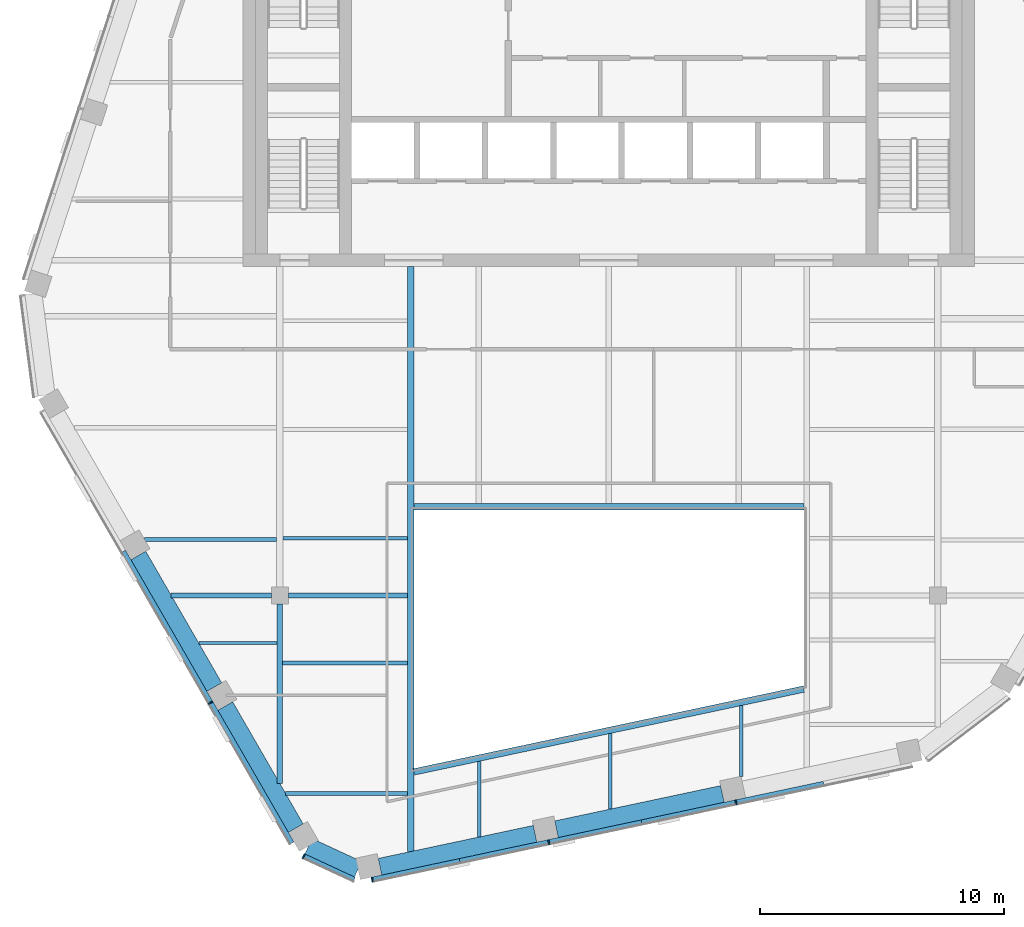
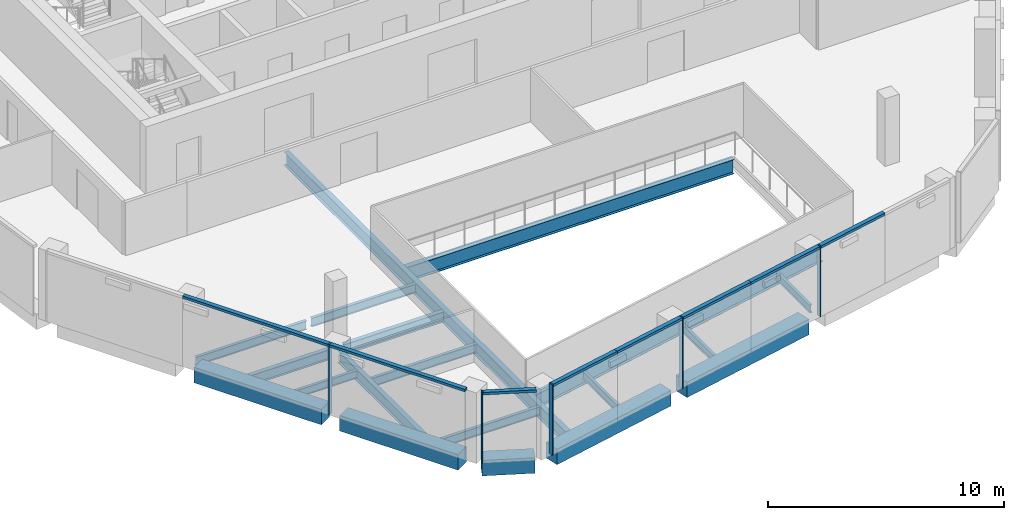
# One storey, part 2 of 15: 19 beams, 13 members, 3 elements without a shape of their own.
"""IFC4 building model written with IfcOpenShell, lengths in metres."""

import ifcopenshell
import ifcopenshell.guid

model = None  # the IFC model being written
_history = None  # IfcOwnerHistory: only IFC2X3 demands one
_inside = {}  # id of a spatial element -> (the spatial element, [elements in it])
_under = {}  # id of a project, library or spatial element -> (it, [spatial elements below it])
_declared = {}  # id of a project -> (the project, [libraries it declares])
_typed = {}  # id of a type object -> (the type object, [elements of that type])
_made_of = {}  # id of a material, layer set ... -> (it, [elements and type objects made of it])


def new_model(schema):
    """Start an empty IFC model of exactly this schema.

    Asked for "IFC4X3", IfcOpenShell would pick the latest addendum, in which some entities
    have other attributes; the version numbers below select the first issue.
    IFC2X3 requires an IfcOwnerHistory on every rooted entity: one is made here for all.
    """
    global model, _history
    if schema == "IFC4X3":
        model = ifcopenshell.file(schema_version=(4, 3, 0, 0))
    else:
        model = ifcopenshell.file(schema=schema)
    _inside.clear()
    _under.clear()
    _declared.clear()
    _typed.clear()
    _made_of.clear()
    _history = None
    if model.schema == "IFC2X3":
        org = make("IfcOrganization", Name="unknown")
        user = make(
            "IfcPersonAndOrganization",
            ThePerson=make("IfcPerson", FamilyName="unknown"),
            TheOrganization=org,
        )
        app = make(
            "IfcApplication",
            ApplicationDeveloper=org,
            Version="unknown",
            ApplicationFullName="unknown",
            ApplicationIdentifier="unknown",
        )
        _history = make(
            "IfcOwnerHistory",
            OwningUser=user,
            OwningApplication=app,
            ChangeAction="ADDED",
            CreationDate=0,
        )
    return model


def make(cls, **values):
    """One entity of the class cls with the attributes given. An attribute that is None is left unset."""
    return model.create_entity(
        cls, **{name: value for name, value in values.items() if value is not None}
    )


def rooted(cls, **values):
    """An entity with a GlobalId (a new one), such as an element, a storey or a relation."""
    return make(cls, GlobalId=ifcopenshell.guid.new(), OwnerHistory=_history, **values)


def si_unit(unit_type, name, prefix=None):
    """IfcSIUnit, for example si_unit("LENGTHUNIT", "METRE", prefix="MILLI")."""
    return make("IfcSIUnit", UnitType=unit_type, Prefix=prefix, Name=name)


def assignment(units):
    """IfcUnitAssignment: the units of a project."""
    return None if units is None else make("IfcUnitAssignment", Units=units)


def point(xyz):
    """IfcCartesianPoint."""
    return None if xyz is None else make("IfcCartesianPoint", Coordinates=xyz)


def direction(xyz):
    """IfcDirection."""
    return None if xyz is None else make("IfcDirection", DirectionRatios=xyz)


def frame(location, z_axis=None, x_axis=None):
    """IfcAxis2Placement3D, a coordinate frame: its origin and axes. An axis left out is left unset."""
    return make(
        "IfcAxis2Placement3D",
        Location=point(location),
        Axis=direction(z_axis),
        RefDirection=direction(x_axis),
    )


def frame_2d(location, x_axis=None):
    """IfcAxis2Placement2D, a coordinate frame in the plane: its origin and x axis."""
    return make(
        "IfcAxis2Placement2D", Location=point(location), RefDirection=direction(x_axis)
    )


def origin():
    """The frame at (0, 0, 0) with its axes left unset."""
    return frame((0.0, 0.0, 0.0))


def origin_2d():
    """The frame at (0, 0) in the plane with its x axis left unset."""
    return frame_2d((0.0, 0.0))


def place(relative_to, where):
    """IfcLocalPlacement: puts the frame where relative to a parent placement (None: the world)."""
    return make(
        "IfcLocalPlacement", PlacementRelTo=relative_to, RelativePlacement=where
    )


def context(
    kind, dimensions, precision=None, world=None, true_north=None, identifier=None
):
    """IfcGeometricRepresentationContext, for example the 3D "Model" context."""
    return make(
        "IfcGeometricRepresentationContext",
        ContextIdentifier=identifier,
        ContextType=kind,
        CoordinateSpaceDimension=dimensions,
        Precision=precision,
        WorldCoordinateSystem=world,
        TrueNorth=true_north,
    )


def subcontext(parent, identifier, kind, view, scale=None):
    """IfcGeometricRepresentationSubContext, for example "Body" below "Model"."""
    return make(
        "IfcGeometricRepresentationSubContext",
        ContextIdentifier=identifier,
        ContextType=kind,
        ParentContext=parent,
        TargetScale=scale,
        TargetView=view,
    )


def project(units=None, contexts=None):
    """IfcProject with its units and contexts."""
    return rooted(
        "IfcProject",
        Name="project",
        RepresentationContexts=contexts,
        UnitsInContext=assignment(units),
    )


def spatial(cls, under=None, at=None, **own):
    """A site, building, storey or space (cls), placed at a placement, below another one or the project."""
    s = rooted(cls, ObjectPlacement=at, **own)
    if under is not None:
        _under.setdefault(under.id(), (under, []))[1].append(s)
    return s


def profile(cls, at=None, kind="AREA", **sizes):
    """A parametric profile (cls). Its sizes go by their IFC names, for example OverallWidth=200.0."""
    return make(cls, ProfileType=kind, Position=at, **sizes)


def rectangle(**sizes):
    """IfcRectangleProfileDef."""
    return profile("IfcRectangleProfileDef", **sizes)


def i_section(**sizes):
    """IfcIShapeProfileDef."""
    return profile("IfcIShapeProfileDef", **sizes)


def extrude(swept, where, along, depth):
    """IfcExtrudedAreaSolid: the profile swept, set in the frame where, extruded along a direction by depth."""
    return make(
        "IfcExtrudedAreaSolid",
        SweptArea=swept,
        Position=where,
        ExtrudedDirection=direction(along),
        Depth=depth,
    )


def shape(context_of_items, identifier, shape_type, items):
    """IfcShapeRepresentation: the items that make up one representation, for example the "Body"."""
    return make(
        "IfcShapeRepresentation",
        ContextOfItems=context_of_items,
        RepresentationIdentifier=identifier,
        RepresentationType=shape_type,
        Items=items,
    )


def material(Name=None, Category=None):
    """IfcMaterial."""
    return make("IfcMaterial", Name=Name, Category=Category)


def layer(
    of_material, thickness, ventilated=None, Name=None, Category=None, Priority=None
):
    """IfcMaterialLayer: one layer of a wall or slab, of a material (None: an air gap)."""
    return make(
        "IfcMaterialLayer",
        Material=of_material,
        LayerThickness=thickness,
        IsVentilated=ventilated,
        Name=Name,
        Category=Category,
        Priority=Priority,
    )


def layer_set(layers, Name=None):
    """IfcMaterialLayerSet."""
    return make("IfcMaterialLayerSet", MaterialLayers=layers, LayerSetName=Name)


def material_profile(
    of_material, cross_section, Name=None, Category=None, Priority=None
):
    """IfcMaterialProfile: a cross section and its material."""
    return make(
        "IfcMaterialProfile",
        Name=Name,
        Material=of_material,
        Profile=cross_section,
        Priority=Priority,
        Category=Category,
    )


def profile_set(profiles, Name=None, composite=None):
    """IfcMaterialProfileSet."""
    return make(
        "IfcMaterialProfileSet",
        Name=Name,
        MaterialProfiles=profiles,
        CompositeProfile=composite,
    )


def made_of(thing, what):
    """Note that an element or type object is made of a material, layer set ...; save() writes the relation."""
    if what is not None:
        _made_of.setdefault(what.id(), (what, []))[1].append(thing)
    return thing


def type_object(cls, material=None, **own):
    """A type object (cls), such as IfcWallType, which elements share."""
    return made_of(rooted(cls, **own), material)


def element(
    cls,
    number,
    at=None,
    inside=None,
    cuts=None,
    type_object=None,
    material=None,
    context=None,
    identifier="Body",
    shape_type=None,
    held_by="IfcProductDefinitionShape",
    body=None,
    shapes=None,
    **own,
):
    """One element of the class cls, such as IfcWall. Its Tag is "e" and its number.

    at: its placement. inside: the storey or other place that contains it. cuts: it is an
    opening in that element (IfcRelVoidsElement). A single representation is given by context,
    identifier, shape_type and body (its items); several are given by shapes. held_by: the class
    of the entity that holds the representations. save() writes the other relations.
    """
    e = rooted(cls, Tag="e%d" % number, ObjectPlacement=at, **own)
    if body is not None:
        shapes = [shape(context, identifier, shape_type, body)]
    if shapes is not None:
        e.Representation = make(held_by, Representations=shapes)
    if inside is not None:
        _inside.setdefault(inside.id(), (inside, []))[1].append(e)
    if cuts is not None:
        rooted(
            "IfcRelVoidsElement", RelatingBuildingElement=cuts, RelatedOpeningElement=e
        )
    if type_object is not None:
        _typed.setdefault(type_object.id(), (type_object, []))[1].append(e)
    return made_of(e, material)


def aggregate(whole, parts):
    """IfcRelAggregates: a whole, such as a stair, and the parts it consists of."""
    return rooted("IfcRelAggregates", RelatingObject=whole, RelatedObjects=parts)


def save(model, path):
    """Write the relations noted so far, then the file.

    IfcRelAggregates (storeys below a building ...), IfcRelContainedInSpatialStructure (elements
    in a storey), IfcRelDefinesByType, IfcRelAssociatesMaterial and IfcRelDeclares: one each for
    every whole, place, type object, material and project.
    """
    for whole, parts in _under.values():
        aggregate(whole, parts)
    for where, things in _inside.values():
        rooted(
            "IfcRelContainedInSpatialStructure",
            RelatedElements=things,
            RelatingStructure=where,
        )
    for kind, things in _typed.values():
        rooted("IfcRelDefinesByType", RelatedObjects=things, RelatingType=kind)
    for what, things in _made_of.values():
        rooted("IfcRelAssociatesMaterial", RelatedObjects=things, RelatingMaterial=what)
    for by, libraries in _declared.values():
        rooted("IfcRelDeclares", RelatingContext=by, RelatedDefinitions=libraries)
    model.write(path)


model = new_model("IFC4")

# Units and contexts
model_context = context("Model", 3, precision=1e-05, world=origin(), true_north=direction((0.0, 1.0)))
body_context = subcontext(model_context, "Body", "Model", "MODEL_VIEW")
ifc_project = project(units=[si_unit("LENGTHUNIT", "METRE"), si_unit("AREAUNIT", "SQUARE_METRE"), si_unit("VOLUMEUNIT", "CUBIC_METRE"), si_unit("PLANEANGLEUNIT", "RADIAN"), si_unit("MASSUNIT", "GRAM", prefix="KILO")], contexts=[model_context])

# Site, building, storey
site_placement = place(None, origin())
site = spatial("IfcSite", under=ifc_project, at=site_placement, CompositionType="ELEMENT")
building_placement = place(site_placement, origin())
building = spatial("IfcBuilding", under=site, at=building_placement, Name="Isthmus Gate Tower", CompositionType="ELEMENT")
storey_placement = place(building_placement, frame((0.0, 0.0, 290.14990234375)))
storey = spatial("IfcBuildingStorey", under=building, at=storey_placement, Name="L74", CompositionType="ELEMENT", Elevation=290.14990234375)

# Curtain wall, member
ifc_material_1 = material(Name="Aluminium, pale champagne anodised", Category="aluminium")
ifc_layer = layer(ifc_material_1, 0.199951171875)
ifc_layer_set = layer_set([ifc_layer], Name="CW-1 UNITISED CURTAIN WALL 200 DEEP")
curtain_wall_type = type_object("IfcCurtainWallType", Name="CW-1 UNITISED CURTAIN WALL 200 DEEP", PredefinedType="NOTDEFINED", material=ifc_layer_set)
curtain_wall_1_placement = place(storey_placement, origin())
curtain_wall_1 = element("IfcCurtainWall", 1, at=curtain_wall_1_placement, inside=storey, type_object=curtain_wall_type, Name="CW-1 SW L74", PredefinedType="NOTDEFINED")
ifc_material_2 = material(Name="Aluminium, pale champagne anodised", Category="aluminium")
ifc_material_profile_1 = material_profile(ifc_material_2, rectangle(XDim=0.06005859375, YDim=0.199951171875, at=origin_2d()), Name="60x200")
ifc_profile_set_1 = profile_set([ifc_material_profile_1], Name="Aluminium, pale champagne anodised")
member_type_1 = type_object("IfcMemberType", Name="CW-1 MULLION 60 X 200", PredefinedType="MULLION", material=ifc_profile_set_1)
member_1_placement = place(storey_placement, frame((-16.33544921875, -17.90625, 0.0), z_axis=(0.0, 0.0, 1.0), x_axis=(0.5, -0.866025403784, 0.0)))
member_1 = element("IfcMember", 2, at=member_1_placement, type_object=member_type_1, Name="CW-1 mullion", PredefinedType="MULLION", context=body_context, shape_type="SweptSolid", body=[
    extrude(rectangle(XDim=0.06005859375, YDim=0.199951171875, at=origin_2d()), origin(), (0.0, 0.0, 1.0), 3.650146484375),
])

curtain_wall_2_placement = place(storey_placement, origin())
curtain_wall_2 = element("IfcCurtainWall", 3, at=curtain_wall_2_placement, inside=storey, type_object=curtain_wall_type, Name="CW-1 SW-S L74", PredefinedType="NOTDEFINED")
member_2_placement = place(storey_placement, frame((-12.519775390625, -24.201171875, 0.0), z_axis=(0.0, 0.0, 1.0), x_axis=(0.907256261367, -0.420578264073, 0.0)))
member_2 = element("IfcMember", 4, at=member_2_placement, type_object=member_type_1, Name="CW-1 mullion", PredefinedType="MULLION", context=body_context, shape_type="SweptSolid", body=[
    extrude(rectangle(XDim=0.06005859375, YDim=0.199951171875, at=origin_2d()), origin(), (0.0, 0.0, 1.0), 3.650146484375),
])

# Curtain wall, members
curtain_wall_3_placement = place(storey_placement, origin())
curtain_wall_3 = element("IfcCurtainWall", 5, at=curtain_wall_3_placement, inside=storey, type_object=curtain_wall_type, Name="CW-1 S L74", PredefinedType="NOTDEFINED")
member_3_placement = place(storey_placement, frame((-9.70703125, -25.16552734375, 0.0), z_axis=(0.0, 0.0, 1.0), x_axis=(0.978147600734, 0.207911690818, 0.0)))
member_3 = element("IfcMember", 6, at=member_3_placement, type_object=member_type_1, Name="CW-1 mullion", PredefinedType="MULLION", context=body_context, shape_type="SweptSolid", body=[
    extrude(rectangle(XDim=0.06005859375, YDim=0.199951171875, at=origin_2d()), origin(), (0.0, 0.0, 1.0), 3.650146484375),
])
member_4_placement = place(storey_placement, frame((-2.462158203125, -23.62548828125, 0.0), z_axis=(0.0, 0.0, 1.0), x_axis=(0.978147600734, 0.207911690818, 0.0)))
member_4 = element("IfcMember", 7, at=member_4_placement, type_object=member_type_1, Name="CW-1 mullion", PredefinedType="MULLION", context=body_context, shape_type="SweptSolid", body=[
    extrude(rectangle(XDim=0.06005859375, YDim=0.199951171875, at=origin_2d()), origin(), (0.0, 0.0, 1.0), 3.650146484375),
])
member_5_placement = place(storey_placement, frame((5.222900390625, -21.991943359375, 0.0), z_axis=(0.0, 0.0, 1.0), x_axis=(0.978147600734, 0.207911690818, 0.0)))
member_5 = element("IfcMember", 8, at=member_5_placement, type_object=member_type_1, Name="CW-1 mullion", PredefinedType="MULLION", context=body_context, shape_type="SweptSolid", body=[
    extrude(rectangle(XDim=0.06005859375, YDim=0.199951171875, at=origin_2d()), origin(), (0.0, 0.0, 1.0), 3.650146484375),
])

# Member
ifc_material_3 = material(Name="Aluminium, pale champagne anodised", Category="aluminium")
ifc_material_profile_2 = material_profile(ifc_material_3, rectangle(XDim=0.199951171875, YDim=0.1298828125, at=origin_2d()), Name="200x130")
ifc_profile_set_2 = profile_set([ifc_material_profile_2], Name="Aluminium, pale champagne anodised")
member_type_2 = type_object("IfcMemberType", Name="CW-1 TRANSOM 200 X 130", PredefinedType="USERDEFINED", material=ifc_profile_set_2)
member_6_placement = place(storey_placement, frame((-19.917724609375, -11.70166015625, 3.585205078125), z_axis=(0.500010763282, -0.866019189511, 0.0), x_axis=(0.866019189511, 0.500010763282, 0.0)))
member_6 = element("IfcMember", 9, at=member_6_placement, type_object=member_type_2, Name="CW-1 transom", ObjectType="TRANSOM", PredefinedType="USERDEFINED", context=body_context, shape_type="SweptSolid", body=[
    extrude(rectangle(XDim=0.199951171875, YDim=0.1298828125, at=origin_2d()), origin(), (0.0, 0.0, 1.0), 7.134521484375),
])

member_7_placement = place(storey_placement, frame((-16.3203125, -17.932373046875, 3.585205078125), z_axis=(0.500011702555, -0.866018647206, 0.0), x_axis=(0.866018647206, 0.500011702555, 0.0)))
member_7 = element("IfcMember", 10, at=member_7_placement, type_object=member_type_2, Name="CW-1 transom", ObjectType="TRANSOM", PredefinedType="USERDEFINED", context=body_context, shape_type="SweptSolid", body=[
    extrude(rectangle(XDim=0.199951171875, YDim=0.1298828125, at=origin_2d()), origin(), (0.0, 0.0, 1.0), 6.624267578125),
])

aggregate(curtain_wall_1, [member_6, member_1, member_7])

member_8_placement = place(storey_placement, frame((-12.49267578125, -24.213623046875, 3.585205078125), z_axis=(0.907246225564, -0.420599912268, 0.0), x_axis=(0.420599912268, 0.907246225564, 0.0)))
member_8 = element("IfcMember", 11, at=member_8_placement, type_object=member_type_2, Name="CW-1 transom", ObjectType="TRANSOM", PredefinedType="USERDEFINED", context=body_context, shape_type="SweptSolid", body=[
    extrude(rectangle(XDim=0.199951171875, YDim=0.1298828125, at=origin_2d()), origin(), (0.0, 0.0, 1.0), 2.258544921875),
])

aggregate(curtain_wall_2, [member_2, member_8])

member_9_placement = place(storey_placement, frame((-9.677734375, -25.1591796875, 3.585205078125), z_axis=(0.9781569775, 0.207867571707, 0.0), x_axis=(-0.207867571707, 0.9781569775, 0.0)))
member_9 = element("IfcMember", 12, at=member_9_placement, type_object=member_type_2, Name="CW-1 transom", ObjectType="TRANSOM", PredefinedType="USERDEFINED", context=body_context, shape_type="SweptSolid", body=[
    extrude(rectangle(XDim=0.199951171875, YDim=0.1298828125, at=origin_2d()), origin(), (0.0, 0.0, 1.0), 3.643310546875),
])

member_10_placement = place(storey_placement, frame((-6.114013671875, -24.40185546875, 3.585205078125), z_axis=(0.978146451283, 0.207917098487, 0.0), x_axis=(-0.207917098487, 0.978146451283, 0.0)))
member_10 = element("IfcMember", 13, at=member_10_placement, type_object=member_type_2, Name="CW-1 transom", ObjectType="TRANSOM", PredefinedType="USERDEFINED", context=body_context, shape_type="SweptSolid", body=[
    extrude(rectangle(XDim=0.199951171875, YDim=0.1298828125, at=origin_2d()), origin(), (0.0, 0.0, 1.0), 3.70361328125),
])

member_11_placement = place(storey_placement, frame((-2.432861328125, -23.619384765625, 3.585205078125), z_axis=(0.978140080964, 0.207947065409, 0.0), x_axis=(-0.207947065409, 0.978140080964, 0.0)))
member_11 = element("IfcMember", 14, at=member_11_placement, type_object=member_type_2, Name="CW-1 transom", ObjectType="TRANSOM", PredefinedType="USERDEFINED", context=body_context, shape_type="SweptSolid", body=[
    extrude(rectangle(XDim=0.199951171875, YDim=0.1298828125, at=origin_2d()), origin(), (0.0, 0.0, 1.0), 3.868408203125),
])

member_12_placement = place(storey_placement, frame((1.35107421875, -22.81494140625, 3.585205078125), z_axis=(0.978153006411, 0.207886257478, 0.0), x_axis=(-0.207886257478, 0.978153006411, 0.0)))
member_12 = element("IfcMember", 15, at=member_12_placement, type_object=member_type_2, Name="CW-1 transom", ObjectType="TRANSOM", PredefinedType="USERDEFINED", context=body_context, shape_type="SweptSolid", body=[
    extrude(rectangle(XDim=0.199951171875, YDim=0.1298828125, at=origin_2d()), origin(), (0.0, 0.0, 1.0), 3.928466796875),
])

member_13_placement = place(storey_placement, frame((5.25244140625, -21.98583984375, 3.585205078125), z_axis=(0.978143350472, 0.207931685724, 0.0), x_axis=(-0.207931685724, 0.978143350472, 0.0)))
member_13 = element("IfcMember", 16, at=member_13_placement, type_object=member_type_2, Name="CW-1 transom", ObjectType="TRANSOM", PredefinedType="USERDEFINED", context=body_context, shape_type="SweptSolid", body=[
    extrude(rectangle(XDim=0.199951171875, YDim=0.1298828125, at=origin_2d()), origin(), (0.0, 0.0, 1.0), 3.643310546875),
])

aggregate(curtain_wall_3, [member_3, member_9, member_10, member_4, member_11, member_12, member_5, member_13])

# Beams
ifc_material_4 = material(Name="Concrete f'c 50 MPa", Category="concrete")
ifc_material_profile_3 = material_profile(ifc_material_4, rectangle(XDim=0.699951171875, YDim=0.800048828125, at=origin_2d()), Name="RC 700X800")
ifc_profile_set_3 = profile_set([ifc_material_profile_3], Name="Concrete f'c 50 MPa")
beam_type_1 = type_object("IfcBeamType", Name="RC SPANDREL 700 X 800", PredefinedType="SPANDREL", material=ifc_profile_set_3)
beam_1_placement = place(storey_placement, frame((4.659912109375, -21.651611328125, -0.39990234375), z_axis=(-0.978143150477, -0.207932626528, 0.0), x_axis=(0.207932626528, -0.978143150477, 0.0)))
element("IfcBeam", 17, at=beam_1_placement, inside=storey, type_object=beam_type_1, Name="str-spandrel-L74-10", PredefinedType="SPANDREL", context=body_context, shape_type="SweptSolid", body=[
    extrude(rectangle(XDim=0.699951171875, YDim=0.800048828125, at=origin_2d()), origin(), (0.0, 0.0, 1.0), 6.956787109375),
])
beam_2_placement = place(storey_placement, frame((-3.025146484375, -23.28515625, -0.39990234375), z_axis=(-0.97815026796, -0.207899142108, 0.0), x_axis=(0.207899142108, -0.97815026796, 0.0)))
element("IfcBeam", 18, at=beam_2_placement, inside=storey, type_object=beam_type_1, Name="str-spandrel-L74-11", PredefinedType="SPANDREL", context=body_context, shape_type="SweptSolid", body=[
    extrude(rectangle(XDim=0.699951171875, YDim=0.800048828125, at=origin_2d()), origin(), (0.0, 0.0, 1.0), 6.5068359375),
])
beam_3_placement = place(storey_placement, frame((-10.288330078125, -24.739501953125, -0.39990234375), z_axis=(-0.907254968276, 0.42058105347, 0.0), x_axis=(-0.42058105347, -0.907254968276, 0.0)))
element("IfcBeam", 19, at=beam_3_placement, inside=storey, type_object=beam_type_1, Name="str-spandrel-L74-12", PredefinedType="SPANDREL", context=body_context, shape_type="SweptSolid", body=[
    extrude(rectangle(XDim=0.699951171875, YDim=0.800048828125, at=origin_2d()), origin(), (0.0, 0.0, 1.0), 2.245849609375),
])
beam_4_placement = place(storey_placement, frame((-12.843505859375, -23.0546875, -0.39990234375), z_axis=(-0.499961143711, 0.866047836311, 0.0), x_axis=(-0.866047836311, -0.499961143711, 0.0)))
element("IfcBeam", 20, at=beam_4_placement, inside=storey, type_object=beam_type_1, Name="str-spandrel-L74-13", PredefinedType="SPANDREL", context=body_context, shape_type="SweptSolid", body=[
    extrude(rectangle(XDim=0.699951171875, YDim=0.800048828125, at=origin_2d()), origin(), (0.0, 0.0, 1.0), 5.78466796875),
])
beam_5_placement = place(storey_placement, frame((-16.185791015625, -17.265625, -0.39990234375), z_axis=(-0.499997027648, 0.866027119866, 0.0), x_axis=(-0.866027119866, -0.499997027648, 0.0)))
element("IfcBeam", 21, at=beam_5_placement, inside=storey, type_object=beam_type_1, Name="str-spandrel-L74-14", PredefinedType="SPANDREL", context=body_context, shape_type="SweptSolid", body=[
    extrude(rectangle(XDim=0.699951171875, YDim=0.800048828125, at=origin_2d()), origin(), (0.0, 0.0, 1.0), 6.234375),
])
ifc_material_5 = material(Name="Structural steel ASTM A992 Gr 50", Category="steel")
ifc_material_profile_4 = material_profile(ifc_material_5, i_section(OverallWidth=0.1396484375, OverallDepth=0.4033203125, WebThickness=0.00634765625, FlangeThickness=0.010986328125, at=origin_2d()), Name="W16X31")
ifc_profile_set_4 = profile_set([ifc_material_profile_4], Name="Structural steel ASTM A992 Gr 50")
beam_type_2 = type_object("IfcBeamType", Name="STEEL FLOOR BEAM W16X31", PredefinedType="JOIST", material=ifc_profile_set_4)
beam_6_placement = place(storey_placement, frame((-16.824951171875, -15.45849609375, -0.3515625), z_axis=(1.0, 0.0, 0.0), x_axis=(0.0, 1.0, 0.0)))
element("IfcBeam", 22, at=beam_6_placement, inside=storey, type_object=beam_type_2, Name="str-beam-L74-02-00", PredefinedType="JOIST", context=body_context, shape_type="SweptSolid", body=[
    extrude(i_section(OverallWidth=0.1396484375, OverallDepth=0.4033203125, WebThickness=0.00634765625, FlangeThickness=0.010986328125, at=origin_2d()), origin(), (0.0, 0.0, 1.0), 3.210693359375),
])
for number, where, z_axis, x_axis, name in (
    (23, (-5.314208984375, -23.4140625, -0.3515625), (0.0, 1.0, 0.0), (-1.0, 0.0, 0.0), "str-beam-L74-05-00"),
    (24, (0.05712890625, -22.272216796875, -0.3515625), (0.0, 1.0, 0.0), (-1.0, 0.0, 0.0), "str-beam-L74-05-01"),
):
    element("IfcBeam", number, at=place(storey_placement, frame(where, z_axis=z_axis, x_axis=x_axis)), inside=storey, type_object=beam_type_2, Name=name, PredefinedType="JOIST", context=body_context, shape_type="SweptSolid", body=[
        extrude(i_section(OverallWidth=0.1396484375, OverallDepth=0.4033203125, WebThickness=0.00634765625, FlangeThickness=0.010986328125, at=origin_2d()), origin(), (0.0, 0.0, 1.0), 3.10107421875),
    ])
beam_7_placement = place(storey_placement, frame((5.428466796875, -20.939208984375, -0.3515625), z_axis=(0.0, 1.0, 0.0), x_axis=(-1.0, 0.0, 0.0)))
element("IfcBeam", 25, at=beam_7_placement, inside=storey, type_object=beam_type_2, Name="str-beam-L74-05-02", PredefinedType="JOIST", context=body_context, shape_type="SweptSolid", body=[
    extrude(i_section(OverallWidth=0.1396484375, OverallDepth=0.4033203125, WebThickness=0.00634765625, FlangeThickness=0.010986328125, at=origin_2d()), origin(), (0.0, 0.0, 1.0), 2.909912109375),
])
ifc_material_6 = material(Name="Structural steel ASTM A992 Gr 50", Category="steel")
ifc_material_profile_5 = material_profile(ifc_material_6, i_section(OverallWidth=0.15234375, OverallDepth=0.45068359375, WebThickness=0.0078125, FlangeThickness=0.010986328125, at=origin_2d()), Name="W18X35")
ifc_profile_set_5 = profile_set([ifc_material_profile_5], Name="Structural steel ASTM A992 Gr 50")
beam_type_3 = type_object("IfcBeamType", Name="STEEL FLOOR BEAM W18X35", PredefinedType="JOIST", material=ifc_profile_set_5)
beam_8_placement = place(storey_placement, frame((-19.0478515625, -11.208251953125, -0.375244140625), z_axis=(1.0, 0.0, 0.0), x_axis=(0.0, 1.0, 0.0)))
element("IfcBeam", 26, at=beam_8_placement, inside=storey, type_object=beam_type_3, Name="str-beam-L74-01-00", PredefinedType="JOIST", context=body_context, shape_type="SweptSolid", body=[
    extrude(i_section(OverallWidth=0.15234375, OverallDepth=0.45068359375, WebThickness=0.0078125, FlangeThickness=0.010986328125, at=origin_2d()), origin(), (0.0, 0.0, 1.0), 5.416015625),
])
beam_9_placement = place(storey_placement, frame((-13.3681640625, -11.16259765625, -0.375244140625), z_axis=(1.0, 0.0, 0.0), x_axis=(0.0, 1.0, 0.0)))
element("IfcBeam", 27, at=beam_9_placement, inside=storey, type_object=beam_type_3, Name="str-beam-L74-03-00", PredefinedType="JOIST", context=body_context, shape_type="SweptSolid", body=[
    extrude(i_section(OverallWidth=0.15234375, OverallDepth=0.45068359375, WebThickness=0.0078125, FlangeThickness=0.010986328125, at=origin_2d()), origin(), (0.0, 0.0, 1.0), 5.1142578125),
])
beam_10_placement = place(storey_placement, frame((-13.2587890625, -21.635009765625, -0.375244140625), z_axis=(1.0, 0.0, 0.0), x_axis=(0.0, 1.0, 0.0)))
element("IfcBeam", 28, at=beam_10_placement, inside=storey, type_object=beam_type_3, Name="str-beam-L74-04-00", PredefinedType="JOIST", context=body_context, shape_type="SweptSolid", body=[
    extrude(i_section(OverallWidth=0.15234375, OverallDepth=0.45068359375, WebThickness=0.0078125, FlangeThickness=0.010986328125, at=origin_2d()), origin(), (0.0, 0.0, 1.0), 5.0048828125),
])
beam_11_placement = place(storey_placement, frame((-13.3857421875, -16.281494140625, -0.375244140625), z_axis=(1.0, 0.0, 0.0), x_axis=(0.0, 1.0, 0.0)))
element("IfcBeam", 29, at=beam_11_placement, inside=storey, type_object=beam_type_3, Name="str-beam-L74-04-01", PredefinedType="JOIST", context=body_context, shape_type="SweptSolid", body=[
    extrude(i_section(OverallWidth=0.15234375, OverallDepth=0.45068359375, WebThickness=0.0078125, FlangeThickness=0.010986328125, at=origin_2d()), origin(), (0.0, 0.0, 1.0), 5.1318359375),
])
ifc_material_7 = material(Name="Structural steel ASTM A992 Gr 50", Category="steel")
ifc_material_profile_6 = material_profile(ifc_material_7, i_section(OverallWidth=0.20947265625, OverallDepth=0.533447265625, WebThickness=0.009521484375, FlangeThickness=0.015869140625, at=origin_2d()), Name="W21X62")
ifc_profile_set_6 = profile_set([ifc_material_profile_6], Name="Structural steel ASTM A992 Gr 50")
beam_type_4 = type_object("IfcBeamType", Name="STEEL GIRDER W21X62", PredefinedType="BEAM", material=ifc_profile_set_6)
beam_12_placement = place(storey_placement, frame((-17.95556640625, -13.5, -0.41650390625), z_axis=(1.0, 0.0, 0.0), x_axis=(0.0, 1.0, 0.0)))
element("IfcBeam", 30, at=beam_12_placement, inside=storey, type_object=beam_type_4, Name="str-girder-L74-01", PredefinedType="BEAM", context=body_context, shape_type="SweptSolid", body=[
    extrude(i_section(OverallWidth=0.20947265625, OverallDepth=0.533447265625, WebThickness=0.009521484375, FlangeThickness=0.015869140625, at=origin_2d()), origin(), (0.0, 0.0, 1.0), 4.10546875),
])
beam_13_placement = place(storey_placement, frame((-13.14990234375, -13.5, -0.41650390625), z_axis=(1.0, 0.0, 0.0), x_axis=(0.0, 1.0, 0.0)))
element("IfcBeam", 31, at=beam_13_placement, inside=storey, type_object=beam_type_4, Name="str-girder-L74-02", PredefinedType="BEAM", context=body_context, shape_type="SweptSolid", body=[
    extrude(i_section(OverallWidth=0.20947265625, OverallDepth=0.533447265625, WebThickness=0.009521484375, FlangeThickness=0.015869140625, at=origin_2d()), origin(), (0.0, 0.0, 1.0), 4.89599609375),
])
ifc_material_8 = material(Name="Structural steel ASTM A992 Gr 50", Category="steel")
ifc_material_profile_7 = material_profile(ifc_material_8, i_section(OverallWidth=0.228515625, OverallDepth=0.603271484375, WebThickness=0.010986328125, FlangeThickness=0.014404296875, at=origin_2d()), Name="W24X68")
ifc_profile_set_7 = profile_set([ifc_material_profile_7], Name="Structural steel ASTM A992 Gr 50")
beam_type_5 = type_object("IfcBeamType", Name="STEEL GIRDER W24X68", PredefinedType="BEAM", material=ifc_profile_set_7)
beam_14_placement = place(storey_placement, frame((-13.5, -21.21728515625, -0.451416015625), z_axis=(0.0, 1.0, 0.0), x_axis=(-1.0, 0.0, 0.0)))
element("IfcBeam", 32, at=beam_14_placement, inside=storey, type_object=beam_type_5, Name="str-girder-L74-05", PredefinedType="BEAM", context=body_context, shape_type="SweptSolid", body=[
    extrude(i_section(OverallWidth=0.228515625, OverallDepth=0.603271484375, WebThickness=0.010986328125, FlangeThickness=0.014404296875, at=origin_2d()), origin(), (0.0, 0.0, 1.0), 7.3671875),
])
ifc_material_9 = material(Name="Structural steel ASTM A992 Gr 50", Category="steel")
ifc_material_profile_8 = material_profile(ifc_material_9, i_section(OverallWidth=0.25390625, OverallDepth=0.679443359375, WebThickness=0.010986328125, FlangeThickness=0.015869140625, at=origin_2d()), Name="W27X84")
ifc_profile_set_8 = profile_set([ifc_material_profile_8], Name="Structural steel ASTM A992 Gr 50")
beam_type_6 = type_object("IfcBeamType", Name="STEEL TRIMMER W27X84", PredefinedType="BEAM", material=ifc_profile_set_8)
beam_15_placement = place(storey_placement, frame((-8.126953125, 0.0, -0.489501953125), z_axis=(0.0, -1.0, 0.0), x_axis=(1.0, 0.0, 0.0)))
element("IfcBeam", 33, at=beam_15_placement, inside=storey, type_object=beam_type_6, Name="str-trimmer-L74-02", PredefinedType="BEAM", context=body_context, shape_type="SweptSolid", body=[
    extrude(i_section(OverallWidth=0.25390625, OverallDepth=0.679443359375, WebThickness=0.010986328125, FlangeThickness=0.015869140625, at=origin_2d()), origin(), (0.0, 0.0, 1.0), 24.01171875),
])
ifc_material_10 = material(Name="Structural steel ASTM A992 Gr 50", Category="steel")
ifc_material_profile_9 = material_profile(ifc_material_10, i_section(OverallWidth=0.2666015625, OverallDepth=0.7587890625, WebThickness=0.014404296875, FlangeThickness=0.01904296875, at=origin_2d()), Name="W30X108")
ifc_profile_set_9 = profile_set([ifc_material_profile_9], Name="Structural steel ASTM A992 Gr 50")
beam_type_7 = type_object("IfcBeamType", Name="STEEL TRIMMER W30X108", PredefinedType="BEAM", material=ifc_profile_set_9)
beam_16_placement = place(storey_placement, frame((-8.0, -20.747314453125, -0.529296875), z_axis=(0.978147924985, 0.20791016533, 0.0), x_axis=(-0.20791016533, 0.978147924985, 0.0)))
element("IfcBeam", 34, at=beam_16_placement, inside=storey, type_object=beam_type_7, Name="str-trimmer-L74-03", PredefinedType="BEAM", context=body_context, shape_type="SweptSolid", body=[
    extrude(i_section(OverallWidth=0.2666015625, OverallDepth=0.7587890625, WebThickness=0.014404296875, FlangeThickness=0.01904296875, at=origin_2d()), origin(), (0.0, 0.0, 1.0), 16.357421875),
])
beam_17_placement = place(storey_placement, frame((8.0, -9.86669921875, -0.529296875), z_axis=(-1.0, 0.0, 0.0), x_axis=(0.0, -1.0, 0.0)))
element("IfcBeam", 35, at=beam_17_placement, inside=storey, type_object=beam_type_7, Name="str-trimmer-L74-04", PredefinedType="BEAM", context=body_context, shape_type="SweptSolid", body=[
    extrude(i_section(OverallWidth=0.2666015625, OverallDepth=0.7587890625, WebThickness=0.014404296875, FlangeThickness=0.01904296875, at=origin_2d()), origin(), (0.0, 0.0, 1.0), 16.0),
])

save(model, "model.ifc")
